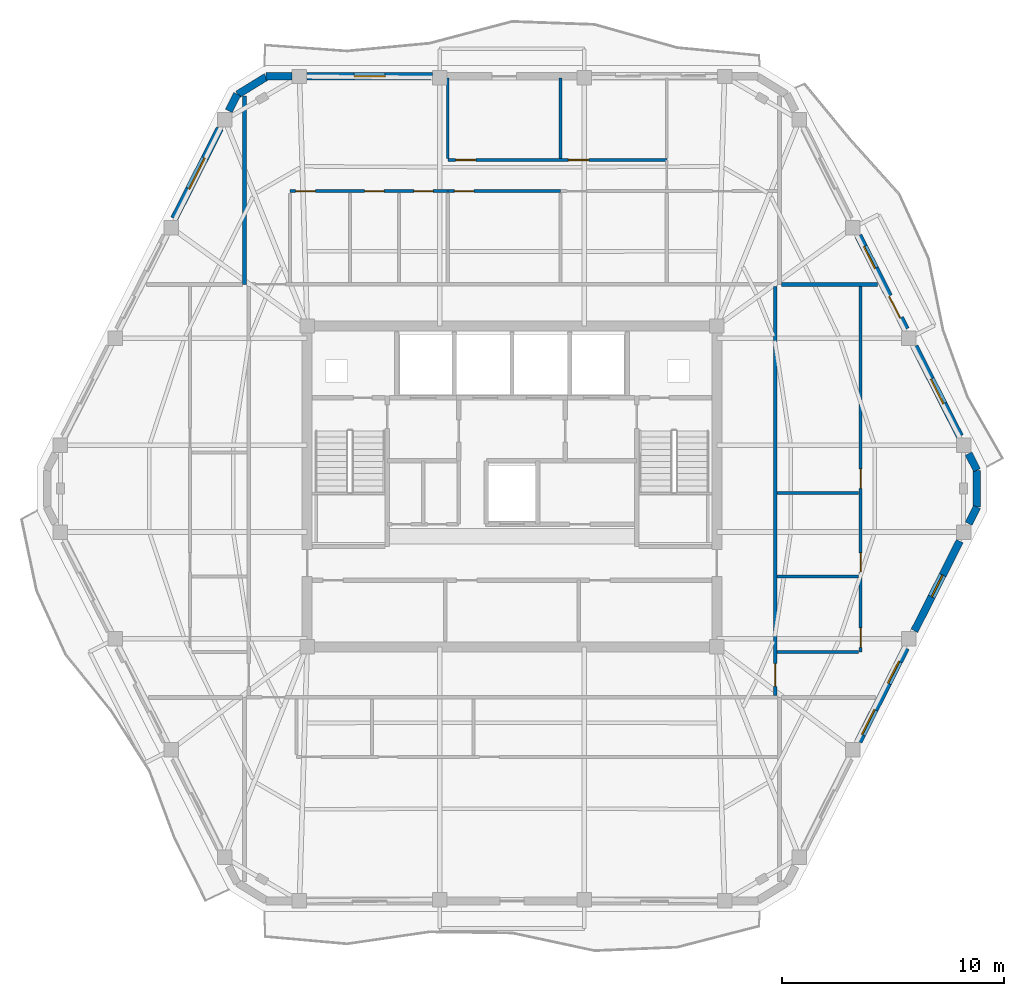
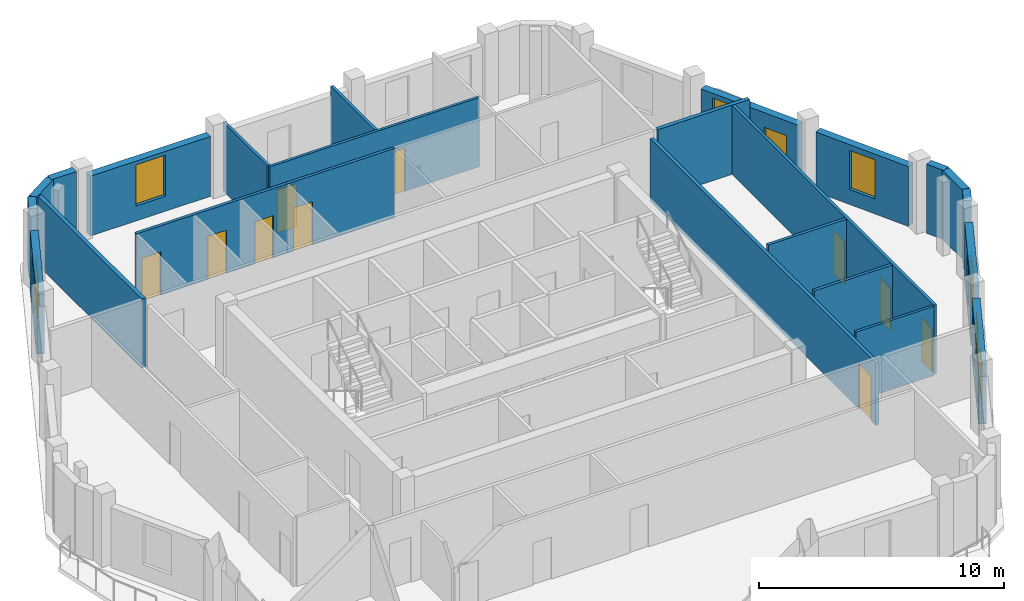
# One storey, part 6 of 10: 24 walls, 11 doors, 7 windows, 18 openings.
"""IFC4 building model written with IfcOpenShell, lengths in metres."""

from ifc_helpers import new_model, si_unit, direction, frame, frame_2d, origin, place, context, subcontext, project, spatial, rectangle, extrude, material, layer, layer_set, type_object, element, fill, save


model = new_model("IFC4")

# Units and contexts
model_context = context("Model", 3, precision=1e-05, world=origin(), true_north=direction((0.0, 1.0)))
body_context = subcontext(model_context, "Body", "Model", "MODEL_VIEW")
ifc_project = project(units=[si_unit("LENGTHUNIT", "METRE"), si_unit("AREAUNIT", "SQUARE_METRE"), si_unit("VOLUMEUNIT", "CUBIC_METRE"), si_unit("PLANEANGLEUNIT", "RADIAN"), si_unit("MASSUNIT", "GRAM", prefix="KILO")], contexts=[model_context])

# Site, building, storey
site_placement = place(None, origin())
site = spatial("IfcSite", under=ifc_project, at=site_placement, CompositionType="ELEMENT")
building_placement = place(site_placement, origin())
building = spatial("IfcBuilding", under=site, at=building_placement, Name="Cinnabar Lancet Tower", CompositionType="ELEMENT")
storey_placement = place(building_placement, frame((0.0, 0.0, 263.5)))
storey = spatial("IfcBuildingStorey", under=building, at=storey_placement, Name="L70", CompositionType="ELEMENT", Elevation=263.5)

# Wall, opening, door
ifc_material_1 = material(Name="Acoustic twin-stud gypsum partition", Category="gypsum")
ifc_layer_1 = layer(ifc_material_1, 0.159912109375)
ifc_layer_set_1 = layer_set([ifc_layer_1], Name="Acoustic twin-stud gypsum partition")
wall_type_1 = type_object("IfcWallType", Name="ARC-WL-CORR-160", PredefinedType="PARTITIONING", material=ifc_layer_set_1)
wall_1_placement = place(storey_placement, frame((44.25, 16.4951171875, 0.0), z_axis=(0.0, 0.0, 1.0), x_axis=(0.0, 1.0, 0.0)))
wall_1 = element("IfcWall", 1, at=wall_1_placement, inside=storey, type_object=wall_type_1, Name="UW-L70-E01-COR", PredefinedType="PARTITIONING", context=body_context, shape_type="SweptSolid", body=[
    extrude(rectangle(XDim=18.409912109375, YDim=0.159912109375, at=frame_2d((9.205078125, 0.0))), origin(), (0.0, 0.0, 1.0), 3.136962890625),
])
opening_1_placement = place(wall_1_placement, frame((0.39990234375, 0.0, 0.0)))
opening_1 = element("IfcOpeningElement", 2, at=opening_1_placement, cuts=wall_1, Name="Opening UD-01", PredefinedType="OPENING", context=body_context, shape_type="SweptSolid", body=[
    extrude(rectangle(XDim=1.02001953125, YDim=2.25, at=frame_2d((0.510009765625, 1.125))), frame((0.0, 0.08984375, 0.0), z_axis=(0.0, -1.0, 0.0), x_axis=(1.0, 0.0, 0.0)), (0.0, 0.0, 1.0), 0.179931640625),
])
ifc_material_2 = material(Name="Solid timber fire-rated apartment entrance door", Category="wood")
door_type_1 = type_object("IfcDoorType", Name="ARC-DR-UNIT", OperationType="NOTDEFINED", PredefinedType="DOOR", material=ifc_material_2)
door_1_placement = place(opening_1_placement, origin())
door_1 = element("IfcDoor", 3, at=door_1_placement, inside=storey, type_object=door_type_1, Name="DR-L70-E01-ENT", OperationType="SINGLE_SWING_RIGHT", OverallHeight=2.25, OverallWidth=1.02001953125, PredefinedType="DOOR", context=body_context, shape_type="SweptSolid", body=[
    extrude(rectangle(XDim=1.02001953125, YDim=2.25, at=frame_2d((0.510009765625, 1.125))), frame((0.0, 0.02490234375, 0.0), z_axis=(0.0, -1.0, 0.0), x_axis=(1.0, 0.0, 0.0)), (0.0, 0.0, 1.0), 0.050048828125),
])
fill(opening_1, door_1)

# Walls
ifc_material_3 = material(Name="Fire-rated twin-frame acoustic drywall", Category="gypsum")
ifc_layer_2 = layer(ifc_material_3, 0.179931640625)
ifc_layer_set_2 = layer_set([ifc_layer_2], Name="Fire-rated twin-frame acoustic drywall")
wall_type_2 = type_object("IfcWallType", Name="ARC-WL-PARTY-180", PredefinedType="PARTITIONING", material=ifc_layer_set_2)
wall_2_placement = place(storey_placement, frame((20.35009765625, 35.0, 0.0), z_axis=(0.0, 0.0, 1.0), x_axis=(0.0, 1.0, 0.0)))
element("IfcWall", 4, at=wall_2_placement, inside=storey, type_object=wall_type_2, Name="PW-L70-NPTY-204", PredefinedType="PARTITIONING", context=body_context, shape_type="SweptSolid", body=[
    extrude(rectangle(XDim=8.48095703125, YDim=0.179931640625, at=frame_2d((4.240478515625, 0.0))), origin(), (0.0, 0.0, 1.0), 3.449951171875),
])
wall_3_placement = place(storey_placement, frame((44.544921875, 35.0, 0.0), z_axis=(0.0, 0.0, 1.0), x_axis=(1.0, 0.0, 0.0)))
element("IfcWall", 5, at=wall_3_placement, inside=storey, type_object=wall_type_2, Name="PW-L70-ENB", PredefinedType="PARTITIONING", context=body_context, shape_type="SweptSolid", body=[
    extrude(rectangle(XDim=4.322021484375, YDim=0.179931640625, at=frame_2d((2.1611328125, 0.0))), origin(), (0.0, 0.0, 1.0), 3.449951171875),
])
ifc_material_4 = material(Name="Gypsum plasterboard stud partition", Category="gypsum")
ifc_layer_3 = layer(ifc_material_4, 0.125)
ifc_layer_set_3 = layer_set([ifc_layer_3], Name="Gypsum plasterboard stud partition")
wall_type_3 = type_object("IfcWallType", Name="ARC-WL-UNIT-125", PredefinedType="PARTITIONING", material=ifc_layer_set_3)
wall_4_placement = place(storey_placement, frame((29.508056640625, 40.666015625, 0.0), z_axis=(0.0, 0.0, 1.0), x_axis=(0.0, 1.0, 0.0)))
element("IfcWall", 6, at=wall_4_placement, inside=storey, type_object=wall_type_3, Name="UW-L70-N01-BD2W", PredefinedType="PARTITIONING", context=body_context, shape_type="SweptSolid", body=[
    extrude(rectangle(XDim=3.618896484375, YDim=0.125, at=frame_2d((1.8095703125, 0.0))), origin(), (0.0, 0.0, 1.0), 3.449951171875),
])

# Wall, openings, doors
wall_5_placement = place(storey_placement, frame((29.508056640625, 40.60107421875, 0.0), z_axis=(0.0, 0.0, 1.0), x_axis=(1.0, 0.0, 0.0)))
wall_5 = element("IfcWall", 7, at=wall_5_placement, inside=storey, type_object=wall_type_3, Name="UW-L70-N01-HLN", PredefinedType="PARTITIONING", context=body_context, shape_type="SweptSolid", body=[
    extrude(rectangle(XDim=9.862060546875, YDim=0.125, at=frame_2d((4.93115234375, 0.0))), origin(), (0.0, 0.0, 1.0), 3.449951171875),
])
opening_2_placement = place(wall_5_placement, frame((0.35009765625, 0.0, 0.0)))
opening_2 = element("IfcOpeningElement", 8, at=opening_2_placement, cuts=wall_5, Name="Opening RD-01", PredefinedType="OPENING", context=body_context, shape_type="SweptSolid", body=[
    extrude(rectangle(XDim=0.919921875, YDim=2.14990234375, at=frame_2d((0.4599609375, 1.074951171875))), frame((0.0, 0.072509765625, 0.0), z_axis=(0.0, -1.0, 0.0), x_axis=(1.0, 0.0, 0.0)), (0.0, 0.0, 1.0), 0.14501953125),
])
opening_3_placement = place(wall_5_placement, frame((5.429931640625, 0.0, 0.0)))
opening_3 = element("IfcOpeningElement", 9, at=opening_3_placement, cuts=wall_5, Name="Opening RD-01", PredefinedType="OPENING", context=body_context, shape_type="SweptSolid", body=[
    extrude(rectangle(XDim=0.919921875, YDim=2.14990234375, at=frame_2d((0.4599609375, 1.074951171875))), frame((0.0, 0.072509765625, 0.0), z_axis=(0.0, -1.0, 0.0), x_axis=(1.0, 0.0, 0.0)), (0.0, 0.0, 1.0), 0.14501953125),
])
ifc_material_5 = material(Name="Engineered timber bedroom door", Category="wood")
door_type_2 = type_object("IfcDoorType", Name="ARC-DR-ROOM", OperationType="NOTDEFINED", PredefinedType="DOOR", material=ifc_material_5)
door_2_placement = place(opening_2_placement, origin())
door_2 = element("IfcDoor", 10, at=door_2_placement, inside=storey, type_object=door_type_2, Name="DR-L70-N01-BD2", OperationType="SINGLE_SWING_LEFT", OverallHeight=2.14990234375, OverallWidth=0.919921875, PredefinedType="DOOR", context=body_context, shape_type="SweptSolid", body=[
    extrude(rectangle(XDim=0.919921875, YDim=2.14990234375, at=frame_2d((0.4599609375, 1.074951171875))), frame((0.0, 0.02490234375, 0.0), z_axis=(0.0, -1.0, 0.0), x_axis=(1.0, 0.0, 0.0)), (0.0, 0.0, 1.0), 0.050048828125),
])
fill(opening_2, door_2)
door_3_placement = place(opening_3_placement, origin())
door_3 = element("IfcDoor", 11, at=door_3_placement, inside=storey, type_object=door_type_2, Name="DR-L70-N01-BD3", OperationType="SINGLE_SWING_RIGHT", OverallHeight=2.14990234375, OverallWidth=0.919921875, PredefinedType="DOOR", context=body_context, shape_type="SweptSolid", body=[
    extrude(rectangle(XDim=0.919921875, YDim=2.14990234375, at=frame_2d((0.4599609375, 1.074951171875))), frame((0.0, 0.02490234375, 0.0), z_axis=(0.0, -1.0, 0.0), x_axis=(1.0, 0.0, 0.0)), (0.0, 0.0, 1.0), 0.050048828125),
])
fill(opening_3, door_3)

# Walls
wall_6_placement = place(storey_placement, frame((34.587890625, 40.666015625, 0.0), z_axis=(0.0, 0.0, 1.0), x_axis=(0.0, 1.0, 0.0)))
element("IfcWall", 12, at=wall_6_placement, inside=storey, type_object=wall_type_3, Name="UW-L70-N01-MB2W", PredefinedType="PARTITIONING", context=body_context, shape_type="SweptSolid", body=[
    extrude(rectangle(XDim=3.618896484375, YDim=0.125, at=frame_2d((1.8095703125, 0.0))), origin(), (0.0, 0.0, 1.0), 3.449951171875),
])
wall_7_placement = place(storey_placement, frame((44.3349609375, 18.449951171875, 0.0), z_axis=(0.0, 0.0, 1.0), x_axis=(1.0, 0.0, 0.0)))
element("IfcWall", 13, at=wall_7_placement, inside=storey, type_object=wall_type_3, Name="UW-L70-E01-FOYN", PredefinedType="PARTITIONING", context=body_context, shape_type="SweptSolid", body=[
    extrude(rectangle(XDim=3.679931640625, YDim=0.125, at=frame_2d((1.83984375, 0.0))), origin(), (0.0, 0.0, 1.0), 3.449951171875),
])

# Wall, openings, doors
ifc_material_6 = material(Name="Moisture-resistant cement-board plumbing wall", Category="masonry")
ifc_layer_4 = layer(ifc_material_6, 0.139892578125)
ifc_layer_set_4 = layer_set([ifc_layer_4], Name="Moisture-resistant cement-board plumbing wall")
wall_type_4 = type_object("IfcWallType", Name="ARC-WL-WET-140", PredefinedType="PLUMBINGWALL", material=ifc_layer_set_4)
wall_8_placement = place(storey_placement, frame((22.39990234375, 39.200927734375, 0.0), z_axis=(0.0, 0.0, 1.0), x_axis=(1.0, 0.0, 0.0)))
wall_8 = element("IfcWall", 14, at=wall_8_placement, inside=storey, type_object=wall_type_4, Name="UW-L70-N01-SPL", PredefinedType="PLUMBINGWALL", context=body_context, shape_type="SweptSolid", body=[
    extrude(rectangle(XDim=7.108154296875, YDim=0.139892578125, at=frame_2d((3.55419921875, 0.0))), origin(), (0.0, 0.0, 1.0), 3.449951171875),
])
opening_4_placement = place(wall_8_placement, frame((5.58203125, 0.0, 0.0)))
opening_4 = element("IfcOpeningElement", 15, at=opening_4_placement, cuts=wall_8, Name="Opening BD-01", PredefinedType="OPENING", context=body_context, shape_type="SweptSolid", body=[
    extrude(rectangle(XDim=0.860107421875, YDim=2.10009765625, at=frame_2d((0.43017578125, 1.050048828125))), frame((0.0, 0.079833984375, 0.0), z_axis=(0.0, -1.0, 0.0), x_axis=(1.0, 0.0, 0.0)), (0.0, 0.0, 1.0), 0.159912109375),
])
opening_5_placement = place(wall_8_placement, frame((0.260009765625, 0.0, 0.0)))
opening_5 = element("IfcOpeningElement", 16, at=opening_5_placement, cuts=wall_8, Name="Opening RD-02", PredefinedType="OPENING", context=body_context, shape_type="SweptSolid", body=[
    extrude(rectangle(XDim=0.8798828125, YDim=2.14990234375, at=frame_2d((0.43994140625, 1.074951171875))), frame((0.0, 0.079833984375, 0.0), z_axis=(0.0, -1.0, 0.0), x_axis=(1.0, 0.0, 0.0)), (0.0, 0.0, 1.0), 0.159912109375),
])
opening_6_placement = place(wall_8_placement, frame((3.363037109375, 0.0, 0.0)))
opening_6 = element("IfcOpeningElement", 17, at=opening_6_placement, cuts=wall_8, Name="Opening RD-02", PredefinedType="OPENING", context=body_context, shape_type="SweptSolid", body=[
    extrude(rectangle(XDim=0.8798828125, YDim=2.14990234375, at=frame_2d((0.43994140625, 1.074951171875))), frame((0.0, 0.079833984375, 0.0), z_axis=(0.0, -1.0, 0.0), x_axis=(1.0, 0.0, 0.0)), (0.0, 0.0, 1.0), 0.159912109375),
])
ifc_material_7 = material(Name="Moisture-resistant timber bathroom door", Category="wood")
door_type_3 = type_object("IfcDoorType", Name="ARC-DR-BATH", OperationType="NOTDEFINED", PredefinedType="DOOR", material=ifc_material_7)
door_4_placement = place(opening_4_placement, origin())
door_4 = element("IfcDoor", 18, at=door_4_placement, inside=storey, type_object=door_type_3, Name="DR-L70-N01-BTH", OperationType="SINGLE_SWING_LEFT", OverallHeight=2.10009765625, OverallWidth=0.860107421875, PredefinedType="DOOR", context=body_context, shape_type="SweptSolid", body=[
    extrude(rectangle(XDim=0.860107421875, YDim=2.10009765625, at=frame_2d((0.43017578125, 1.050048828125))), frame((0.0, 0.02490234375, 0.0), z_axis=(0.0, -1.0, 0.0), x_axis=(1.0, 0.0, 0.0)), (0.0, 0.0, 1.0), 0.050048828125),
])
fill(opening_4, door_4)
ifc_material_8 = material(Name="Engineered timber study door", Category="wood")
door_type_4 = type_object("IfcDoorType", Name="ARC-DR-STUDY", OperationType="NOTDEFINED", PredefinedType="DOOR", material=ifc_material_8)
door_5_placement = place(opening_5_placement, origin())
door_5 = element("IfcDoor", 19, at=door_5_placement, inside=storey, type_object=door_type_4, Name="DR-L70-N01-KIT", OperationType="SINGLE_SWING_LEFT", OverallHeight=2.14990234375, OverallWidth=0.8798828125, PredefinedType="DOOR", context=body_context, shape_type="SweptSolid", body=[
    extrude(rectangle(XDim=0.8798828125, YDim=2.14990234375, at=frame_2d((0.43994140625, 1.074951171875))), frame((0.0, 0.02490234375, 0.0), z_axis=(0.0, -1.0, 0.0), x_axis=(1.0, 0.0, 0.0)), (0.0, 0.0, 1.0), 0.050048828125),
])
fill(opening_5, door_5)
door_6_placement = place(opening_6_placement, origin())
door_6 = element("IfcDoor", 20, at=door_6_placement, inside=storey, type_object=door_type_4, Name="DR-L70-N01-STD", OperationType="SINGLE_SWING_RIGHT", OverallHeight=2.14990234375, OverallWidth=0.8798828125, PredefinedType="DOOR", context=body_context, shape_type="SweptSolid", body=[
    extrude(rectangle(XDim=0.8798828125, YDim=2.14990234375, at=frame_2d((0.43994140625, 1.074951171875))), frame((0.0, 0.02490234375, 0.0), z_axis=(0.0, -1.0, 0.0), x_axis=(1.0, 0.0, 0.0)), (0.0, 0.0, 1.0), 0.050048828125),
])
fill(opening_6, door_6)

# Wall, opening, door
wall_9_placement = place(storey_placement, frame((29.508056640625, 39.200927734375, 0.0), z_axis=(0.0, 0.0, 1.0), x_axis=(1.0, 0.0, 0.0)))
wall_9 = element("IfcWall", 21, at=wall_9_placement, inside=storey, type_object=wall_type_4, Name="UW-L70-N01-SPM", PredefinedType="PLUMBINGWALL", context=body_context, shape_type="SweptSolid", body=[
    extrude(rectangle(XDim=5.079833984375, YDim=0.139892578125, at=frame_2d((2.5400390625, 0.0))), origin(), (0.0, 0.0, 1.0), 3.449951171875),
])
opening_7_placement = place(wall_9_placement, frame((0.300048828125, 0.0, 0.0)))
opening_7 = element("IfcOpeningElement", 22, at=opening_7_placement, cuts=wall_9, Name="Opening RD-02", PredefinedType="OPENING", context=body_context, shape_type="SweptSolid", body=[
    extrude(rectangle(XDim=0.8798828125, YDim=2.14990234375, at=frame_2d((0.43994140625, 1.074951171875))), frame((0.0, 0.079833984375, 0.0), z_axis=(0.0, -1.0, 0.0), x_axis=(1.0, 0.0, 0.0)), (0.0, 0.0, 1.0), 0.159912109375),
])
door_7_placement = place(opening_7_placement, origin())
door_7 = element("IfcDoor", 23, at=door_7_placement, inside=storey, type_object=door_type_4, Name="DR-L70-N01-UTL", OperationType="SINGLE_SWING_RIGHT", OverallHeight=2.14990234375, OverallWidth=0.8798828125, PredefinedType="DOOR", context=body_context, shape_type="SweptSolid", body=[
    extrude(rectangle(XDim=0.8798828125, YDim=2.14990234375, at=frame_2d((0.43994140625, 1.074951171875))), frame((0.0, 0.02490234375, 0.0), z_axis=(0.0, -1.0, 0.0), x_axis=(1.0, 0.0, 0.0)), (0.0, 0.0, 1.0), 0.050048828125),
])
fill(opening_7, door_7)

# Wall, openings, doors
wall_10_placement = place(storey_placement, frame((48.10009765625, 18.449951171875, 0.0), z_axis=(0.0, 0.0, 1.0), x_axis=(0.0, 1.0, 0.0)))
wall_10 = element("IfcWall", 24, at=wall_10_placement, inside=storey, type_object=wall_type_4, Name="UW-L70-E01-SPL", PredefinedType="PLUMBINGWALL", context=body_context, shape_type="SweptSolid", body=[
    extrude(rectangle(XDim=16.455078125, YDim=0.139892578125, at=frame_2d((8.2275390625, 0.0))), origin(), (0.0, 0.0, 1.0), 3.449951171875),
])
opening_8_placement = place(wall_10_placement, frame((3.60009765625, 0.0, 0.0)))
opening_8 = element("IfcOpeningElement", 25, at=opening_8_placement, cuts=wall_10, Name="Opening BD-01", PredefinedType="OPENING", context=body_context, shape_type="SweptSolid", body=[
    extrude(rectangle(XDim=0.860107421875, YDim=2.10009765625, at=frame_2d((0.43017578125, 1.050048828125))), frame((0.0, 0.079833984375, 0.0), z_axis=(0.0, -1.0, 0.0), x_axis=(1.0, 0.0, 0.0)), (0.0, 0.0, 1.0), 0.159912109375),
])
opening_9_placement = place(wall_10_placement, frame((7.360107421875, 0.0, 0.0)))
opening_9 = element("IfcOpeningElement", 26, at=opening_9_placement, cuts=wall_10, Name="Opening RD-02", PredefinedType="OPENING", context=body_context, shape_type="SweptSolid", body=[
    extrude(rectangle(XDim=0.8798828125, YDim=2.14990234375, at=frame_2d((0.43994140625, 1.074951171875))), frame((0.0, 0.079833984375, 0.0), z_axis=(0.0, -1.0, 0.0), x_axis=(1.0, 0.0, 0.0)), (0.0, 0.0, 1.0), 0.159912109375),
])
opening_10_placement = place(wall_10_placement, frame((0.199951171875, 0.0, 0.0)))
opening_10 = element("IfcOpeningElement", 27, at=opening_10_placement, cuts=wall_10, Name="Opening RD-02", PredefinedType="OPENING", context=body_context, shape_type="SweptSolid", body=[
    extrude(rectangle(XDim=0.8798828125, YDim=2.14990234375, at=frame_2d((0.43994140625, 1.074951171875))), frame((0.0, 0.079833984375, 0.0), z_axis=(0.0, -1.0, 0.0), x_axis=(1.0, 0.0, 0.0)), (0.0, 0.0, 1.0), 0.159912109375),
])
door_8_placement = place(opening_8_placement, origin())
door_8 = element("IfcDoor", 28, at=door_8_placement, inside=storey, type_object=door_type_3, Name="DR-L70-E01-BTH", OperationType="SINGLE_SWING_RIGHT", OverallHeight=2.10009765625, OverallWidth=0.860107421875, PredefinedType="DOOR", context=body_context, shape_type="SweptSolid", body=[
    extrude(rectangle(XDim=0.860107421875, YDim=2.10009765625, at=frame_2d((0.43017578125, 1.050048828125))), frame((0.0, 0.02490234375, 0.0), z_axis=(0.0, -1.0, 0.0), x_axis=(1.0, 0.0, 0.0)), (0.0, 0.0, 1.0), 0.050048828125),
])
fill(opening_8, door_8)
door_9_placement = place(opening_9_placement, origin())
door_9 = element("IfcDoor", 29, at=door_9_placement, inside=storey, type_object=door_type_4, Name="DR-L70-E01-WDR", OperationType="SINGLE_SWING_LEFT", OverallHeight=2.14990234375, OverallWidth=0.8798828125, PredefinedType="DOOR", context=body_context, shape_type="SweptSolid", body=[
    extrude(rectangle(XDim=0.8798828125, YDim=2.14990234375, at=frame_2d((0.43994140625, 1.074951171875))), frame((0.0, 0.02490234375, 0.0), z_axis=(0.0, -1.0, 0.0), x_axis=(1.0, 0.0, 0.0)), (0.0, 0.0, 1.0), 0.050048828125),
])
fill(opening_9, door_9)
door_10_placement = place(opening_10_placement, origin())
door_10 = element("IfcDoor", 30, at=door_10_placement, inside=storey, type_object=door_type_4, Name="DR-L70-E01-KIT", OperationType="SINGLE_SWING_LEFT", OverallHeight=2.14990234375, OverallWidth=0.8798828125, PredefinedType="DOOR", context=body_context, shape_type="SweptSolid", body=[
    extrude(rectangle(XDim=0.8798828125, YDim=2.14990234375, at=frame_2d((0.43994140625, 1.074951171875))), frame((0.0, 0.02490234375, 0.0), z_axis=(0.0, -1.0, 0.0), x_axis=(1.0, 0.0, 0.0)), (0.0, 0.0, 1.0), 0.050048828125),
])
fill(opening_10, door_10)

# Walls
for number, where, z_axis, x_axis, name in (
    (31, (44.3349609375, 21.85009765625, 0.0), (0.0, 0.0, 1.0), (1.0, 0.0, 0.0), "UW-L70-E01-KDV"),
    (32, (44.3349609375, 25.610107421875, 0.0), (0.0, 0.0, 1.0), (1.0, 0.0, 0.0), "UW-L70-E01-BWDV"),
):
    element("IfcWall", number, at=place(storey_placement, frame(where, z_axis=z_axis, x_axis=x_axis)), inside=storey, type_object=wall_type_4, Name=name, PredefinedType="PLUMBINGWALL", context=body_context, shape_type="SweptSolid", body=[
        extrude(rectangle(XDim=3.679931640625, YDim=0.139892578125, at=frame_2d((1.83984375, 0.0))), origin(), (0.0, 0.0, 1.0), 3.449951171875),
    ])
ifc_material_9 = material(Name="Cinnabar red clay brick", Category="masonry")
ifc_layer_5 = layer(ifc_material_9, 0.340087890625)
ifc_layer_set_5 = layer_set([ifc_layer_5], Name="Cinnabar red clay brick")
wall_type_5 = type_object("IfcWallType", Name="ENV-WL-BRK-RED-340", PredefinedType="STANDARD", material=ifc_layer_set_5)
wall_11_placement = place(storey_placement, frame((53.322998046875, 24.97998046875, 0.0), z_axis=(0.0, 0.0, 1.0), x_axis=(0.0, 1.0, 0.0)))
element("IfcWall", 33, at=wall_11_placement, inside=storey, type_object=wall_type_5, Name="L70 Chamfered Corner Brick Pier 3.1", PredefinedType="STANDARD", context=body_context, shape_type="SweptSolid", body=[
    extrude(rectangle(XDim=1.64013671875, YDim=0.340087890625, at=frame_2d((0.820068359375, 0.0))), origin(), (0.0, 0.0, 1.0), 3.449951171875),
])
wall_12_placement = place(storey_placement, frame((21.3310546875, 44.344970703125, 0.0), z_axis=(0.0, 0.0, 1.0), x_axis=(-0.851680557619, -0.52406128246, 0.0)))
element("IfcWall", 34, at=wall_12_placement, inside=storey, type_object=wall_type_5, Name="L70 Chamfered Corner Brick Pier 5.1", PredefinedType="STANDARD", context=body_context, shape_type="SweptSolid", body=[
    extrude(rectangle(XDim=1.507568359375, YDim=0.340087890625, at=frame_2d((0.75390625, 0.0))), origin(), (0.0, 0.0, 1.0), 3.449951171875),
])

# Wall, openings, windows
wall_13_placement = place(storey_placement, frame((48.001953125, 14.4130859375, 0.0), z_axis=(0.0, 0.0, 1.0), x_axis=(0.451468341582, 0.892287137949, 0.0)))
wall_13 = element("IfcWall", 35, at=wall_13_placement, inside=storey, type_object=wall_type_5, Name="L70 Face 2 Masonry Bay Wall 3", PredefinedType="STANDARD", context=body_context, shape_type="SweptSolid", body=[
    extrude(rectangle(XDim=4.72265625, YDim=0.340087890625, at=frame_2d((2.361328125, 0.0))), origin(), (0.0, 0.0, 1.0), 2.98291015625),
])
opening_11_placement = place(wall_13_placement, frame((0.35888671875, 0.0, 0.75)))
opening_11 = element("IfcOpeningElement", 36, at=opening_11_placement, cuts=wall_13, Name="Opening WN-03", PredefinedType="OPENING", context=body_context, shape_type="SweptSolid", body=[
    extrude(rectangle(XDim=1.25, YDim=1.949951171875, at=frame_2d((0.625, 0.97509765625))), frame((0.0, 0.179931640625, 0.0), z_axis=(0.0, -1.0, 0.0), x_axis=(1.0, 0.0, 0.0)), (0.0, 0.0, 1.0), 0.360107421875),
])
opening_12_placement = place(wall_13_placement, frame((2.946044921875, 0.0, 0.75)))
opening_12 = element("IfcOpeningElement", 37, at=opening_12_placement, cuts=wall_13, Name="Opening WN-04", PredefinedType="OPENING", context=body_context, shape_type="SweptSolid", body=[
    extrude(rectangle(XDim=1.10009765625, YDim=2.0, at=frame_2d((0.550048828125, 1.0))), frame((0.0, 0.179931640625, 0.0), z_axis=(0.0, -1.0, 0.0), x_axis=(1.0, 0.0, 0.0)), (0.0, 0.0, 1.0), 0.360107421875),
])
ifc_material_10 = material(Name="Thermally broken bronze-anodized aluminium tall lancet window", Category="aluminium")
window_type_1 = type_object("IfcWindowType", Name="ENV-WN-LANCET-1100", PartitioningType="SINGLE_PANEL", PredefinedType="WINDOW", material=ifc_material_10)
window_1_placement = place(opening_12_placement, origin())
window_1 = element("IfcWindow", 38, at=window_1_placement, inside=storey, type_object=window_type_1, Name="L70 Split-Bay Gothic Lancet Window 258", OverallHeight=2.0, OverallWidth=1.10009765625, PartitioningType="SINGLE_PANEL", PredefinedType="WINDOW", context=body_context, shape_type="SweptSolid", body=[
    extrude(rectangle(XDim=1.10009765625, YDim=2.0, at=frame_2d((0.550048828125, 1.0))), frame((0.0, 0.030029296875, 0.0), z_axis=(0.0, -1.0, 0.0), x_axis=(1.0, 0.0, 0.0)), (0.0, 0.0, 1.0), 0.06005859375),
])
fill(opening_12, window_1)
ifc_material_11 = material(Name="Thermally broken bronze-anodized aluminium low-E double glazing", Category="aluminium")
window_type_2 = type_object("IfcWindowType", Name="ENV-WN-LANCET-1250", PartitioningType="SINGLE_PANEL", PredefinedType="WINDOW", material=ifc_material_11)
window_2_placement = place(opening_11_placement, origin())
window_2 = element("IfcWindow", 39, at=window_2_placement, inside=storey, type_object=window_type_2, Name="L70 Face 2 Gothic Lancet Window 3", OverallHeight=1.949951171875, OverallWidth=1.25, PartitioningType="SINGLE_PANEL", PredefinedType="WINDOW", context=body_context, shape_type="SweptSolid", body=[
    extrude(rectangle(XDim=1.25, YDim=1.949951171875, at=frame_2d((0.625, 0.97509765625))), frame((0.0, 0.030029296875, 0.0), z_axis=(0.0, -1.0, 0.0), x_axis=(1.0, 0.0, 0.0)), (0.0, 0.0, 1.0), 0.06005859375),
])
fill(opening_11, window_2)

# Wall, opening, window
wall_14_placement = place(storey_placement, frame((50.52294921875, 19.39697265625, 0.0), z_axis=(0.0, 0.0, 1.0), x_axis=(0.45147697324, 0.892282770558, 0.0)))
wall_14 = element("IfcWall", 40, at=wall_14_placement, inside=storey, type_object=wall_type_5, Name="L70 Face 2 Masonry Bay Wall 4", PredefinedType="STANDARD", context=body_context, shape_type="SweptSolid", body=[
    extrude(rectangle(XDim=4.530029296875, YDim=0.340087890625, at=frame_2d((2.26513671875, 0.0))), origin(), (0.0, 0.0, 1.0), 2.98291015625),
])
opening_13_placement = place(wall_14_placement, frame((1.715087890625, 0.0, 0.75)))
opening_13 = element("IfcOpeningElement", 41, at=opening_13_placement, cuts=wall_14, Name="Opening WN-04", PredefinedType="OPENING", context=body_context, shape_type="SweptSolid", body=[
    extrude(rectangle(XDim=1.10009765625, YDim=2.0, at=frame_2d((0.550048828125, 1.0))), frame((0.0, 0.179931640625, 0.0), z_axis=(0.0, -1.0, 0.0), x_axis=(1.0, 0.0, 0.0)), (0.0, 0.0, 1.0), 0.360107421875),
])
window_3_placement = place(opening_13_placement, origin())
window_3 = element("IfcWindow", 42, at=window_3_placement, inside=storey, type_object=window_type_1, Name="L70 Face 2 Gothic Lancet Window 4", OverallHeight=2.0, OverallWidth=1.10009765625, PartitioningType="SINGLE_PANEL", PredefinedType="WINDOW", context=body_context, shape_type="SweptSolid", body=[
    extrude(rectangle(XDim=1.10009765625, YDim=2.0, at=frame_2d((0.550048828125, 1.0))), frame((0.0, 0.030029296875, 0.0), z_axis=(0.0, -1.0, 0.0), x_axis=(1.0, 0.0, 0.0)), (0.0, 0.0, 1.0), 0.06005859375),
])
fill(opening_13, window_3)

# Walls
wall_15_placement = place(storey_placement, frame((52.965087890625, 24.22412109375, 0.0), z_axis=(0.0, 0.0, 1.0), x_axis=(0.4515140893, 0.892263989615, 0.0)))
element("IfcWall", 43, at=wall_15_placement, inside=storey, type_object=wall_type_5, Name="L70 Face 2 Masonry Bay Wall 5", PredefinedType="STANDARD", context=body_context, shape_type="SweptSolid", body=[
    extrude(rectangle(XDim=0.839111328125, YDim=0.340087890625, at=frame_2d((0.41943359375, 0.0))), origin(), (0.0, 0.0, 1.0), 3.449951171875),
])
wall_16_placement = place(storey_placement, frame((53.343994140625, 26.626953125, 0.0), z_axis=(0.0, 0.0, 1.0), x_axis=(-0.45139691133, 0.892323275748, 0.0)))
element("IfcWall", 44, at=wall_16_placement, inside=storey, type_object=wall_type_5, Name="L70 Face 3 Masonry Bay Wall 1", PredefinedType="STANDARD", context=body_context, shape_type="SweptSolid", body=[
    extrude(rectangle(XDim=0.83935546875, YDim=0.340087890625, at=frame_2d((0.419677734375, 0.0))), origin(), (0.0, 0.0, 1.0), 3.449951171875),
])

# Wall, opening, window
wall_17_placement = place(storey_placement, frame((52.568115234375, 28.160888671875, 0.0), z_axis=(0.0, 0.0, 1.0), x_axis=(-0.45147697324, 0.892282770558, 0.0)))
wall_17 = element("IfcWall", 45, at=wall_17_placement, inside=storey, type_object=wall_type_5, Name="L70 Face 3 Masonry Bay Wall 2", PredefinedType="STANDARD", context=body_context, shape_type="SweptSolid", body=[
    extrude(rectangle(XDim=4.530029296875, YDim=0.340087890625, at=frame_2d((2.26513671875, 0.0))), origin(), (0.0, 0.0, 1.0), 2.98291015625),
])
opening_14_placement = place(wall_17_placement, frame((1.639892578125, 0.0, 0.75)))
opening_14 = element("IfcOpeningElement", 46, at=opening_14_placement, cuts=wall_17, Name="Opening WN-03", PredefinedType="OPENING", context=body_context, shape_type="SweptSolid", body=[
    extrude(rectangle(XDim=1.25, YDim=1.949951171875, at=frame_2d((0.625, 0.97509765625))), frame((0.0, 0.179931640625, 0.0), z_axis=(0.0, -1.0, 0.0), x_axis=(1.0, 0.0, 0.0)), (0.0, 0.0, 1.0), 0.360107421875),
])
window_4_placement = place(opening_14_placement, origin())
window_4 = element("IfcWindow", 47, at=window_4_placement, inside=storey, type_object=window_type_2, Name="L70 Face 3 Gothic Lancet Window 2", OverallHeight=1.949951171875, OverallWidth=1.25, PartitioningType="SINGLE_PANEL", PredefinedType="WINDOW", context=body_context, shape_type="SweptSolid", body=[
    extrude(rectangle(XDim=1.25, YDim=1.949951171875, at=frame_2d((0.625, 0.97509765625))), frame((0.0, 0.030029296875, 0.0), z_axis=(0.0, -1.0, 0.0), x_axis=(1.0, 0.0, 0.0)), (0.0, 0.0, 1.0), 0.06005859375),
])
fill(opening_14, window_4)

# Wall, openings, door, window
wall_18_placement = place(storey_placement, frame((50.134033203125, 32.972900390625, 0.0), z_axis=(0.0, 0.0, 1.0), x_axis=(-0.451447516904, 0.892297674255, 0.0)))
wall_18 = element("IfcWall", 48, at=wall_18_placement, inside=storey, type_object=wall_type_5, Name="L70 Face 3 Masonry Bay Wall 3", PredefinedType="STANDARD", context=body_context, shape_type="SweptSolid", body=[
    extrude(rectangle(XDim=4.72265625, YDim=0.340087890625, at=frame_2d((2.361328125, 0.0))), origin(), (0.0, 0.0, 1.0), 2.98291015625),
])
opening_15_placement = place(wall_18_placement, frame((0.570068359375, 0.0, 0.0)))
opening_15 = element("IfcOpeningElement", 49, at=opening_15_placement, cuts=wall_18, Name="Opening TD-01", PredefinedType="OPENING", context=body_context, shape_type="SweptSolid", body=[
    extrude(rectangle(XDim=1.10009765625, YDim=2.25, at=frame_2d((0.550048828125, 1.125))), frame((0.0, 0.179931640625, 0.0), z_axis=(0.0, -1.0, 0.0), x_axis=(1.0, 0.0, 0.0)), (0.0, 0.0, 1.0), 0.360107421875),
])
opening_16_placement = place(wall_18_placement, frame((3.076904296875, 0.0, 0.75)))
opening_16 = element("IfcOpeningElement", 50, at=opening_16_placement, cuts=wall_18, Name="Opening WN-04", PredefinedType="OPENING", context=body_context, shape_type="SweptSolid", body=[
    extrude(rectangle(XDim=1.10009765625, YDim=2.0, at=frame_2d((0.550048828125, 1.0))), frame((0.0, 0.179931640625, 0.0), z_axis=(0.0, -1.0, 0.0), x_axis=(1.0, 0.0, 0.0)), (0.0, 0.0, 1.0), 0.360107421875),
])
ifc_material_12 = material(Name="Thermally broken low-E glazed balcony terrace door", Category="wood")
door_type_5 = type_object("IfcDoorType", Name="ARC-DR-BALC", OperationType="NOTDEFINED", PredefinedType="DOOR", material=ifc_material_12)
door_11_placement = place(opening_15_placement, origin())
door_11 = element("IfcDoor", 51, at=door_11_placement, inside=storey, type_object=door_type_5, Name="L70 Face 3 Glazed Terrace Door", OperationType="SINGLE_SWING_RIGHT", OverallHeight=2.25, OverallWidth=1.10009765625, PredefinedType="DOOR", context=body_context, shape_type="SweptSolid", body=[
    extrude(rectangle(XDim=1.10009765625, YDim=2.25, at=frame_2d((0.550048828125, 1.125))), frame((0.0, 0.02490234375, 0.0), z_axis=(0.0, -1.0, 0.0), x_axis=(1.0, 0.0, 0.0)), (0.0, 0.0, 1.0), 0.050048828125),
])
fill(opening_15, door_11)
window_5_placement = place(opening_16_placement, origin())
window_5 = element("IfcWindow", 52, at=window_5_placement, inside=storey, type_object=window_type_1, Name="L70 Split-Bay Gothic Lancet Window 259", OverallHeight=2.0, OverallWidth=1.10009765625, PartitioningType="SINGLE_PANEL", PredefinedType="WINDOW", context=body_context, shape_type="SweptSolid", body=[
    extrude(rectangle(XDim=1.10009765625, YDim=2.0, at=frame_2d((0.550048828125, 1.0))), frame((0.0, 0.030029296875, 0.0), z_axis=(0.0, -1.0, 0.0), x_axis=(1.0, 0.0, 0.0)), (0.0, 0.0, 1.0), 0.06005859375),
])
fill(opening_16, window_5)

# Wall, opening, window
wall_19_placement = place(storey_placement, frame((28.81689453125, 44.3701171875, 0.0), z_axis=(0.0, 0.0, 1.0), x_axis=(-1.0, 0.0, 0.0)))
wall_19 = element("IfcWall", 53, at=wall_19_placement, inside=storey, type_object=wall_type_5, Name="L70 Face 4 Masonry Bay Wall 4", PredefinedType="STANDARD", context=body_context, shape_type="SweptSolid", body=[
    extrude(rectangle(XDim=5.659912109375, YDim=0.340087890625, at=frame_2d((2.830078125, 0.0))), origin(), (0.0, 0.0, 1.0), 2.98291015625),
])
opening_17_placement = place(wall_19_placement, frame((2.1298828125, 0.0, 0.75)))
opening_17 = element("IfcOpeningElement", 54, at=opening_17_placement, cuts=wall_19, Name="Opening WN-02", PredefinedType="OPENING", context=body_context, shape_type="SweptSolid", body=[
    extrude(rectangle(XDim=1.39990234375, YDim=2.050048828125, at=frame_2d((0.699951171875, 1.02490234375))), frame((0.0, 0.179931640625, 0.0), z_axis=(0.0, -1.0, 0.0), x_axis=(1.0, 0.0, 0.0)), (0.0, 0.0, 1.0), 0.360107421875),
])
ifc_material_13 = material(Name="Thermally broken bronze-anodized aluminium low-E double glazing", Category="aluminium")
window_type_3 = type_object("IfcWindowType", Name="ENV-WN-LANCET-1400", PartitioningType="SINGLE_PANEL", PredefinedType="WINDOW", material=ifc_material_13)
window_6_placement = place(opening_17_placement, origin())
window_6 = element("IfcWindow", 55, at=window_6_placement, inside=storey, type_object=window_type_3, Name="L70 Face 4 Gothic Lancet Window 4", OverallHeight=2.050048828125, OverallWidth=1.39990234375, PartitioningType="SINGLE_PANEL", PredefinedType="WINDOW", context=body_context, shape_type="SweptSolid", body=[
    extrude(rectangle(XDim=1.39990234375, YDim=2.050048828125, at=frame_2d((0.699951171875, 1.02490234375))), frame((0.0, 0.030029296875, 0.0), z_axis=(0.0, -1.0, 0.0), x_axis=(1.0, 0.0, 0.0)), (0.0, 0.0, 1.0), 0.06005859375),
])
fill(opening_17, window_6)

# Walls
wall_20_placement = place(storey_placement, frame((22.4990234375, 44.3701171875, 0.0), z_axis=(0.0, 0.0, 1.0), x_axis=(-1.0, 0.0, 0.0)))
element("IfcWall", 56, at=wall_20_placement, inside=storey, type_object=wall_type_5, Name="L70 Face 4 Masonry Bay Wall 5", PredefinedType="STANDARD", context=body_context, shape_type="SweptSolid", body=[
    extrude(rectangle(XDim=1.173095703125, YDim=0.340087890625, at=frame_2d((0.58642578125, 0.0))), origin(), (0.0, 0.0, 1.0), 3.449951171875),
])
wall_21_placement = place(storey_placement, frame((20.027099609375, 43.571044921875, 0.0), z_axis=(0.0, 0.0, 1.0), x_axis=(-0.451907025977, -0.8920650424, 0.0)))
element("IfcWall", 57, at=wall_21_placement, inside=storey, type_object=wall_type_5, Name="L70 Face 5 Masonry Bay Wall 1", PredefinedType="STANDARD", context=body_context, shape_type="SweptSolid", body=[
    extrude(rectangle(XDim=0.85205078125, YDim=0.340087890625, at=frame_2d((0.426025390625, 0.0))), origin(), (0.0, 0.0, 1.0), 3.449951171875),
])

# Wall, opening, window
wall_22_placement = place(storey_placement, frame((19.243896484375, 42.02294921875, 0.0), z_axis=(0.0, 0.0, 1.0), x_axis=(-0.45149770819, -0.892272278791, 0.0)))
wall_22 = element("IfcWall", 58, at=wall_22_placement, inside=storey, type_object=wall_type_5, Name="L70 Face 5 Masonry Bay Wall 2", PredefinedType="STANDARD", context=body_context, shape_type="SweptSolid", body=[
    extrude(rectangle(XDim=4.553466796875, YDim=0.340087890625, at=frame_2d((2.27685546875, 0.0))), origin(), (0.0, 0.0, 1.0), 2.98291015625),
])
opening_18_placement = place(wall_22_placement, frame((1.501953125, 0.0, 0.75)))
opening_18 = element("IfcOpeningElement", 59, at=opening_18_placement, cuts=wall_22, Name="Opening WN-01", PredefinedType="OPENING", context=body_context, shape_type="SweptSolid", body=[
    extrude(rectangle(XDim=1.550048828125, YDim=2.050048828125, at=frame_2d((0.77490234375, 1.02490234375))), frame((0.0, 0.179931640625, 0.0), z_axis=(0.0, -1.0, 0.0), x_axis=(1.0, 0.0, 0.0)), (0.0, 0.0, 1.0), 0.360107421875),
])
ifc_material_14 = material(Name="Thermally broken bronze-anodized aluminium low-E double glazing", Category="aluminium")
window_type_4 = type_object("IfcWindowType", Name="ENV-WN-LANCET-1550", PartitioningType="SINGLE_PANEL", PredefinedType="WINDOW", material=ifc_material_14)
window_7_placement = place(opening_18_placement, origin())
window_7 = element("IfcWindow", 60, at=window_7_placement, inside=storey, type_object=window_type_4, Name="L70 Face 5 Gothic Lancet Window 2", OverallHeight=2.050048828125, OverallWidth=1.550048828125, PartitioningType="SINGLE_PANEL", PredefinedType="WINDOW", context=body_context, shape_type="SweptSolid", body=[
    extrude(rectangle(XDim=1.550048828125, YDim=2.050048828125, at=frame_2d((0.77490234375, 1.02490234375))), frame((0.0, 0.030029296875, 0.0), z_axis=(0.0, -1.0, 0.0), x_axis=(1.0, 0.0, 0.0)), (0.0, 0.0, 1.0), 0.06005859375),
])
fill(opening_18, window_7)

save(model, "model.ifc")
